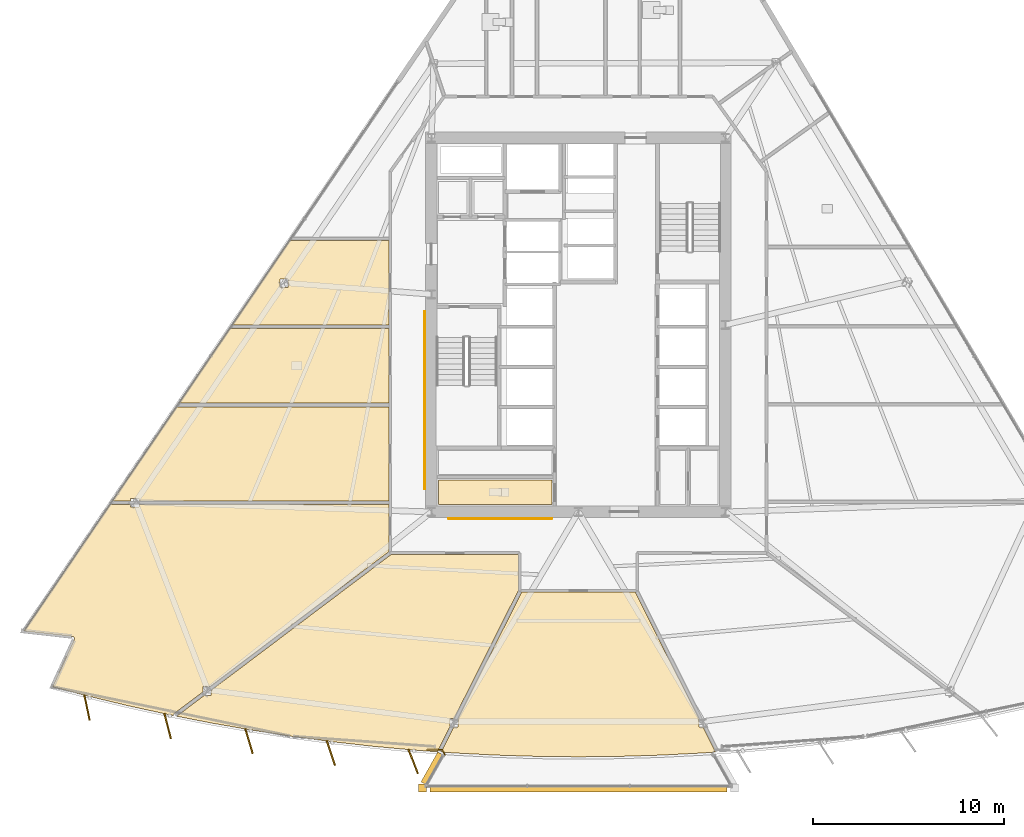
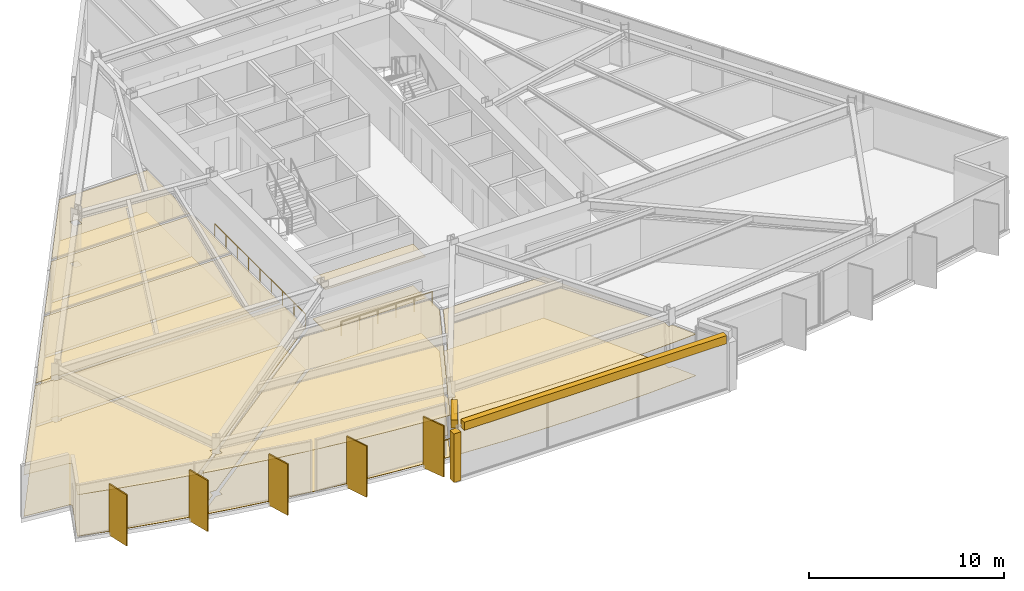
# One storey, part 12 of 16: 17 coverings, 5 shading devices, 3 railings.
"""IFC4 building model written with IfcOpenShell, lengths in metres."""

import ifcopenshell
import ifcopenshell.guid

model = None  # the IFC model being written
_history = None  # IfcOwnerHistory: only IFC2X3 demands one
_inside = {}  # id of a spatial element -> (the spatial element, [elements in it])
_under = {}  # id of a project, library or spatial element -> (it, [spatial elements below it])
_declared = {}  # id of a project -> (the project, [libraries it declares])
_typed = {}  # id of a type object -> (the type object, [elements of that type])
_made_of = {}  # id of a material, layer set ... -> (it, [elements and type objects made of it])


def new_model(schema):
    """Start an empty IFC model of exactly this schema.

    Asked for "IFC4X3", IfcOpenShell would pick the latest addendum, in which some entities
    have other attributes; the version numbers below select the first issue.
    IFC2X3 requires an IfcOwnerHistory on every rooted entity: one is made here for all.
    """
    global model, _history
    if schema == "IFC4X3":
        model = ifcopenshell.file(schema_version=(4, 3, 0, 0))
    else:
        model = ifcopenshell.file(schema=schema)
    _inside.clear()
    _under.clear()
    _declared.clear()
    _typed.clear()
    _made_of.clear()
    _history = None
    if model.schema == "IFC2X3":
        org = make("IfcOrganization", Name="unknown")
        user = make(
            "IfcPersonAndOrganization",
            ThePerson=make("IfcPerson", FamilyName="unknown"),
            TheOrganization=org,
        )
        app = make(
            "IfcApplication",
            ApplicationDeveloper=org,
            Version="unknown",
            ApplicationFullName="unknown",
            ApplicationIdentifier="unknown",
        )
        _history = make(
            "IfcOwnerHistory",
            OwningUser=user,
            OwningApplication=app,
            ChangeAction="ADDED",
            CreationDate=0,
        )
    return model


def make(cls, **values):
    """One entity of the class cls with the attributes given. An attribute that is None is left unset."""
    return model.create_entity(
        cls, **{name: value for name, value in values.items() if value is not None}
    )


def rooted(cls, **values):
    """An entity with a GlobalId (a new one), such as an element, a storey or a relation."""
    return make(cls, GlobalId=ifcopenshell.guid.new(), OwnerHistory=_history, **values)


def si_unit(unit_type, name, prefix=None):
    """IfcSIUnit, for example si_unit("LENGTHUNIT", "METRE", prefix="MILLI")."""
    return make("IfcSIUnit", UnitType=unit_type, Prefix=prefix, Name=name)


def assignment(units):
    """IfcUnitAssignment: the units of a project."""
    return None if units is None else make("IfcUnitAssignment", Units=units)


def point(xyz):
    """IfcCartesianPoint."""
    return None if xyz is None else make("IfcCartesianPoint", Coordinates=xyz)


def direction(xyz):
    """IfcDirection."""
    return None if xyz is None else make("IfcDirection", DirectionRatios=xyz)


def frame(location, z_axis=None, x_axis=None):
    """IfcAxis2Placement3D, a coordinate frame: its origin and axes. An axis left out is left unset."""
    return make(
        "IfcAxis2Placement3D",
        Location=point(location),
        Axis=direction(z_axis),
        RefDirection=direction(x_axis),
    )


def frame_2d(location, x_axis=None):
    """IfcAxis2Placement2D, a coordinate frame in the plane: its origin and x axis."""
    return make(
        "IfcAxis2Placement2D", Location=point(location), RefDirection=direction(x_axis)
    )


def origin():
    """The frame at (0, 0, 0) with its axes left unset."""
    return frame((0.0, 0.0, 0.0))


def origin_2d():
    """The frame at (0, 0) in the plane with its x axis left unset."""
    return frame_2d((0.0, 0.0))


def place(relative_to, where):
    """IfcLocalPlacement: puts the frame where relative to a parent placement (None: the world)."""
    return make(
        "IfcLocalPlacement", PlacementRelTo=relative_to, RelativePlacement=where
    )


def context(
    kind, dimensions, precision=None, world=None, true_north=None, identifier=None
):
    """IfcGeometricRepresentationContext, for example the 3D "Model" context."""
    return make(
        "IfcGeometricRepresentationContext",
        ContextIdentifier=identifier,
        ContextType=kind,
        CoordinateSpaceDimension=dimensions,
        Precision=precision,
        WorldCoordinateSystem=world,
        TrueNorth=true_north,
    )


def subcontext(parent, identifier, kind, view, scale=None):
    """IfcGeometricRepresentationSubContext, for example "Body" below "Model"."""
    return make(
        "IfcGeometricRepresentationSubContext",
        ContextIdentifier=identifier,
        ContextType=kind,
        ParentContext=parent,
        TargetScale=scale,
        TargetView=view,
    )


def project(units=None, contexts=None):
    """IfcProject with its units and contexts."""
    return rooted(
        "IfcProject",
        Name="project",
        RepresentationContexts=contexts,
        UnitsInContext=assignment(units),
    )


def spatial(cls, under=None, at=None, **own):
    """A site, building, storey or space (cls), placed at a placement, below another one or the project."""
    s = rooted(cls, ObjectPlacement=at, **own)
    if under is not None:
        _under.setdefault(under.id(), (under, []))[1].append(s)
    return s


def polyline(points):
    """IfcPolyline through the points."""
    return make("IfcPolyline", Points=[point(p) for p in points])


def profile(cls, at=None, kind="AREA", **sizes):
    """A parametric profile (cls). Its sizes go by their IFC names, for example OverallWidth=200.0."""
    return make(cls, ProfileType=kind, Position=at, **sizes)


def rectangle(**sizes):
    """IfcRectangleProfileDef."""
    return profile("IfcRectangleProfileDef", **sizes)


def circle(**sizes):
    """IfcCircleProfileDef."""
    return profile("IfcCircleProfileDef", **sizes)


def outline(outer, holes=None, kind="AREA"):
    """IfcArbitraryClosedProfileDef: a profile drawn as a closed curve; with holes, ...WithVoids."""
    if holes is None:
        return make("IfcArbitraryClosedProfileDef", ProfileType=kind, OuterCurve=outer)
    return make(
        "IfcArbitraryProfileDefWithVoids",
        ProfileType=kind,
        OuterCurve=outer,
        InnerCurves=holes,
    )


def extrude(swept, where, along, depth):
    """IfcExtrudedAreaSolid: the profile swept, set in the frame where, extruded along a direction by depth."""
    return make(
        "IfcExtrudedAreaSolid",
        SweptArea=swept,
        Position=where,
        ExtrudedDirection=direction(along),
        Depth=depth,
    )


def shape(context_of_items, identifier, shape_type, items):
    """IfcShapeRepresentation: the items that make up one representation, for example the "Body"."""
    return make(
        "IfcShapeRepresentation",
        ContextOfItems=context_of_items,
        RepresentationIdentifier=identifier,
        RepresentationType=shape_type,
        Items=items,
    )


def material(Name=None, Category=None):
    """IfcMaterial."""
    return make("IfcMaterial", Name=Name, Category=Category)


def layer(
    of_material, thickness, ventilated=None, Name=None, Category=None, Priority=None
):
    """IfcMaterialLayer: one layer of a wall or slab, of a material (None: an air gap)."""
    return make(
        "IfcMaterialLayer",
        Material=of_material,
        LayerThickness=thickness,
        IsVentilated=ventilated,
        Name=Name,
        Category=Category,
        Priority=Priority,
    )


def layer_set(layers, Name=None):
    """IfcMaterialLayerSet."""
    return make("IfcMaterialLayerSet", MaterialLayers=layers, LayerSetName=Name)


def made_of(thing, what):
    """Note that an element or type object is made of a material, layer set ...; save() writes the relation."""
    if what is not None:
        _made_of.setdefault(what.id(), (what, []))[1].append(thing)
    return thing


def type_object(cls, material=None, **own):
    """A type object (cls), such as IfcWallType, which elements share."""
    return made_of(rooted(cls, **own), material)


def element(
    cls,
    number,
    at=None,
    inside=None,
    cuts=None,
    type_object=None,
    material=None,
    context=None,
    identifier="Body",
    shape_type=None,
    held_by="IfcProductDefinitionShape",
    body=None,
    shapes=None,
    **own,
):
    """One element of the class cls, such as IfcWall. Its Tag is "e" and its number.

    at: its placement. inside: the storey or other place that contains it. cuts: it is an
    opening in that element (IfcRelVoidsElement). A single representation is given by context,
    identifier, shape_type and body (its items); several are given by shapes. held_by: the class
    of the entity that holds the representations. save() writes the other relations.
    """
    e = rooted(cls, Tag="e%d" % number, ObjectPlacement=at, **own)
    if body is not None:
        shapes = [shape(context, identifier, shape_type, body)]
    if shapes is not None:
        e.Representation = make(held_by, Representations=shapes)
    if inside is not None:
        _inside.setdefault(inside.id(), (inside, []))[1].append(e)
    if cuts is not None:
        rooted(
            "IfcRelVoidsElement", RelatingBuildingElement=cuts, RelatedOpeningElement=e
        )
    if type_object is not None:
        _typed.setdefault(type_object.id(), (type_object, []))[1].append(e)
    return made_of(e, material)


def aggregate(whole, parts):
    """IfcRelAggregates: a whole, such as a stair, and the parts it consists of."""
    return rooted("IfcRelAggregates", RelatingObject=whole, RelatedObjects=parts)


def save(model, path):
    """Write the relations noted so far, then the file.

    IfcRelAggregates (storeys below a building ...), IfcRelContainedInSpatialStructure (elements
    in a storey), IfcRelDefinesByType, IfcRelAssociatesMaterial and IfcRelDeclares: one each for
    every whole, place, type object, material and project.
    """
    for whole, parts in _under.values():
        aggregate(whole, parts)
    for where, things in _inside.values():
        rooted(
            "IfcRelContainedInSpatialStructure",
            RelatedElements=things,
            RelatingStructure=where,
        )
    for kind, things in _typed.values():
        rooted("IfcRelDefinesByType", RelatedObjects=things, RelatingType=kind)
    for what, things in _made_of.values():
        rooted("IfcRelAssociatesMaterial", RelatedObjects=things, RelatingMaterial=what)
    for by, libraries in _declared.values():
        rooted("IfcRelDeclares", RelatingContext=by, RelatedDefinitions=libraries)
    model.write(path)


model = new_model("IFC4")

# Units and contexts
model_context = context("Model", 3, precision=1e-05, world=origin(), true_north=direction((0.0, 1.0)))
body_context = subcontext(model_context, "Body", "Model", "MODEL_VIEW")
ifc_project = project(units=[si_unit("LENGTHUNIT", "METRE"), si_unit("AREAUNIT", "SQUARE_METRE"), si_unit("VOLUMEUNIT", "CUBIC_METRE"), si_unit("PLANEANGLEUNIT", "RADIAN"), si_unit("MASSUNIT", "GRAM", prefix="KILO")], contexts=[model_context])

# Site, building, storey
site_placement = place(None, origin())
site = spatial("IfcSite", under=ifc_project, at=site_placement, CompositionType="ELEMENT")
building_placement = place(site_placement, origin())
building = spatial("IfcBuilding", under=site, at=building_placement, Name="Savorim Split Tower", CompositionType="ELEMENT")
storey_placement = place(building_placement, frame((0.0, 0.0, 69.60009765625)))
storey = spatial("IfcBuildingStorey", under=building, at=storey_placement, Name="L18", CompositionType="ELEMENT", Elevation=69.60009765625)

# Coverings
ifc_material_1 = material(Name="Mineral Fibre Acoustic Ceiling")
ifc_layer_1 = layer(ifc_material_1, 0.02490234375)
ifc_layer_set_1 = layer_set([ifc_layer_1], Name="COV-CEIL-25")
covering_type_1 = type_object("IfcCoveringType", Name="COV-CEIL-25", PredefinedType="CEILING", material=ifc_layer_set_1)
covering_1_placement = place(storey_placement, frame((0.0, 0.0, 2.599853515625)))
element("IfcCovering", 1, at=covering_1_placement, inside=storey, type_object=covering_type_1, Name="L18 Public WC Acoustic Ceiling", PredefinedType="CEILING", context=body_context, shape_type="SweptSolid", body=[
    extrude(outline(polyline([(-7.320068359375, -7.719970703125), (-7.320068359375, -9.02001953125), (-1.3798828125, -9.02001953125), (-1.3798828125, -7.719970703125), (-7.320068359375, -7.719970703125)])), origin(), (0.0, 0.0, 1.0), 0.025146484375),
])
covering_2_placement = place(storey_placement, frame((0.0, 0.0, 2.599853515625)))
element("IfcCovering", 2, at=covering_2_placement, inside=storey, type_object=covering_type_1, Name="L18 Shared Kitchen Acoustic Ceiling", PredefinedType="CEILING", context=body_context, shape_type="SweptSolid", body=[
    extrude(outline(polyline([(-18.26708984375, 0.203369140625), (-20.92578125, -3.704833984375), (-9.919921875, -3.704833984375), (-9.919921875, 0.203369140625), (-18.26708984375, 0.203369140625)])), origin(), (0.0, 0.0, 1.0), 0.025146484375),
])
covering_3_placement = place(storey_placement, frame((0.0, 0.0, 2.599853515625)))
element("IfcCovering", 3, at=covering_3_placement, inside=storey, type_object=covering_type_1, Name="L18 Maker Workshop Acoustic Ceiling", PredefinedType="CEILING", context=body_context, shape_type="SweptSolid", body=[
    extrude(outline(polyline([(-23.033203125, -8.694580078125), (-23.033203125, -8.826904296875), (-9.919921875, -8.826904296875), (-9.919921875, -3.89501953125), (-21.054931640625, -3.89501953125), (-24.41015625, -8.826904296875), (-23.46533203125, -8.826904296875), (-23.46533203125, -8.694580078125), (-23.033203125, -8.694580078125)])), origin(), (0.0, 0.0, 1.0), 0.025146484375),
])
covering_4_placement = place(storey_placement, frame((0.0, 0.0, 2.599853515625)))
element("IfcCovering", 4, at=covering_4_placement, inside=storey, type_object=covering_type_1, Name="L18 Co-Working Commons Acoustic Ceiling", PredefinedType="CEILING", context=body_context, shape_type="SweptSolid", body=[
    extrude(outline(polyline([(-26.404052734375, -16.033447265625), (-26.40380859375, -16.04541015625), (-26.40478515625, -16.057373046875), (-26.406982421875, -16.069091796875), (-26.410400390625, -16.08056640625), (-26.414794921875, -16.091552734375), (-27.549560546875, -18.561767578125), (-25.601806640625, -19.071044921875), (-23.50634765625, -19.573486328125), (-21.40087890625, -20.032958984375), (-21.213134765625, -20.070068359375), (-21.25146484375, -20.018798828125), (-19.672607421875, -18.828369140625), (-19.672607421875, -18.556884765625), (-19.312744140625, -18.556884765625), (-9.9453125, -11.49267578125), (-9.919921875, -11.4736328125), (-9.919921875, -9.01708984375), (-23.033203125, -9.01708984375), (-23.033203125, -9.1494140625), (-23.46533203125, -9.1494140625), (-23.46533203125, -9.01708984375), (-24.414306640625, -9.01708984375), (-24.50927734375, -9.01708984375), (-24.50927734375, -8.97265625), (-29.04443359375, -15.639404296875), (-26.510498046875, -15.922119140625), (-26.498779296875, -15.92431640625), (-26.4873046875, -15.92724609375), (-26.47607421875, -15.931396484375), (-26.46533203125, -15.936767578125), (-26.455078125, -15.943115234375), (-26.44580078125, -15.9501953125), (-26.43701171875, -15.95849609375), (-26.42919921875, -15.967529296875), (-26.42236328125, -15.977294921875), (-26.41650390625, -15.98779296875), (-26.41162109375, -15.99853515625), (-26.407958984375, -16.010009765625), (-26.405517578125, -16.021484375), (-26.404052734375, -16.033447265625)])), origin(), (0.0, 0.0, 1.0), 0.025146484375),
])
covering_5_placement = place(storey_placement, frame((0.0, 0.0, 2.599853515625)))
element("IfcCovering", 5, at=covering_5_placement, inside=storey, type_object=covering_type_1, Name="L18 Maker Workshop Acoustic Ceiling", PredefinedType="CEILING", context=body_context, shape_type="SweptSolid", body=[
    extrude(outline(polyline([(-15.0341796875, -21.15185546875), (-12.898193359375, -21.4375), (-10.756591796875, -21.6796875), (-8.610595703125, -21.877685546875), (-7.391357421875, -21.96533203125), (-6.73681640625, -20.663330078125), (-6.73681640625, -20.2177734375), (-6.5126953125, -20.2177734375), (-3.15087890625, -13.530517578125), (-3.132568359375, -13.494384765625), (-3.134033203125, -13.490478515625), (-3.13720703125, -13.477294921875), (-3.139404296875, -13.463623046875), (-3.139892578125, -13.449951171875), (-3.139892578125, -11.6201171875), (-9.780029296875, -11.6201171875), (-9.793701171875, -11.619384765625), (-9.796875, -11.618896484375), (-19.240478515625, -18.740478515625), (-19.240478515625, -19.011962890625), (-19.6005859375, -19.011962890625), (-21.047119140625, -20.102783203125), (-19.286376953125, -20.44921875), (-17.163818359375, -20.822265625), (-15.0341796875, -21.15185546875)])), origin(), (0.0, 0.0, 1.0), 0.025146484375),
])
covering_6_placement = place(storey_placement, frame((0.0, 0.0, 2.599853515625)))
element("IfcCovering", 6, at=covering_6_placement, inside=storey, type_object=covering_type_1, Name="L18 Maker Workshop Acoustic Ceiling", PredefinedType="CEILING", context=body_context, shape_type="SweptSolid", body=[
    extrude(outline(polyline([(0.0, -22.23046875), (2.15478515625, -22.208251953125), (4.30908203125, -22.14208984375), (6.461181640625, -22.031982421875), (7.186279296875, -21.97998046875), (6.52880859375, -20.672607421875), (6.304931640625, -20.672607421875), (6.304931640625, -20.227294921875), (2.98095703125, -13.615966796875), (2.968017578125, -13.590087890625), (-2.968017578125, -13.590087890625), (-6.304931640625, -20.227294921875), (-6.304931640625, -20.672607421875), (-6.52880859375, -20.672607421875), (-7.1796875, -21.967041015625), (-7.186279296875, -21.97998046875), (-6.461181640625, -22.031982421875), (-4.30908203125, -22.14208984375), (-2.15478515625, -22.208251953125), (0.0, -22.23046875)])), origin(), (0.0, 0.0, 1.0), 0.025146484375),
])
covering_7_placement = place(storey_placement, frame((0.0, 0.0, 2.599853515625)))
element("IfcCovering", 7, at=covering_7_placement, inside=storey, type_object=covering_type_1, Name="L18 Co-Working Commons Acoustic Ceiling", PredefinedType="CEILING", context=body_context, shape_type="SweptSolid", body=[
    extrude(outline(polyline([(-15.130859375, 4.813720703125), (-18.1376953125, 0.393310546875), (-9.919921875, 0.393310546875), (-9.919921875, 4.813720703125), (-15.130859375, 4.813720703125)]), holes=[polyline([(-15.638916015625, 2.810302734375), (-15.638916015625, 2.355224609375), (-15.20703125, 2.355224609375), (-15.20703125, 2.810302734375), (-15.638916015625, 2.810302734375)])]), origin(), (0.0, 0.0, 1.0), 0.025146484375),
])
ifc_material_2 = material(Name="Porcelain Stoneware Flooring", Category="masonry")
ifc_layer_2 = layer(ifc_material_2, 0.02001953125)
ifc_layer_set_2 = layer_set([ifc_layer_2], Name="COV-FLOR-20")
covering_type_2 = type_object("IfcCoveringType", Name="COV-FLOR-20", PredefinedType="FLOORING", material=ifc_layer_set_2)
covering_8_placement = place(storey_placement, origin())
element("IfcCovering", 8, at=covering_8_placement, inside=storey, type_object=covering_type_2, Name="L18 Public WC Porcelain Flooring", PredefinedType="FLOORING", context=body_context, shape_type="SweptSolid", body=[
    extrude(outline(polyline([(-7.320068359375, -7.719970703125), (-7.320068359375, -9.02001953125), (-1.3798828125, -9.02001953125), (-1.3798828125, -7.719970703125), (-7.320068359375, -7.719970703125)])), origin(), (0.0, 0.0, 1.0), 0.02001953125),
])
covering_9_placement = place(storey_placement, origin())
element("IfcCovering", 9, at=covering_9_placement, inside=storey, type_object=covering_type_2, Name="L18 Shared Kitchen Porcelain Flooring", PredefinedType="FLOORING", context=body_context, shape_type="SweptSolid", body=[
    extrude(outline(polyline([(-18.26708984375, 0.203369140625), (-20.92578125, -3.704833984375), (-9.919921875, -3.704833984375), (-9.919921875, 0.203369140625), (-18.26708984375, 0.203369140625)])), origin(), (0.0, 0.0, 1.0), 0.02001953125),
])
covering_10_placement = place(storey_placement, origin())
element("IfcCovering", 10, at=covering_10_placement, inside=storey, type_object=covering_type_2, Name="L18 Maker Workshop Porcelain Flooring", PredefinedType="FLOORING", context=body_context, shape_type="SweptSolid", body=[
    extrude(outline(polyline([(-23.033203125, -8.694580078125), (-23.033203125, -8.826904296875), (-9.919921875, -8.826904296875), (-9.919921875, -3.89501953125), (-21.054931640625, -3.89501953125), (-24.41015625, -8.826904296875), (-23.46533203125, -8.826904296875), (-23.46533203125, -8.694580078125), (-23.033203125, -8.694580078125)])), origin(), (0.0, 0.0, 1.0), 0.02001953125),
])
covering_11_placement = place(storey_placement, origin())
element("IfcCovering", 11, at=covering_11_placement, inside=storey, type_object=covering_type_2, Name="L18 Co-Working Commons Porcelain Flooring", PredefinedType="FLOORING", context=body_context, shape_type="SweptSolid", body=[
    extrude(outline(polyline([(-26.404052734375, -16.033447265625), (-26.40380859375, -16.04541015625), (-26.40478515625, -16.057373046875), (-26.406982421875, -16.069091796875), (-26.410400390625, -16.08056640625), (-26.414794921875, -16.091552734375), (-27.549560546875, -18.561767578125), (-25.601806640625, -19.071044921875), (-23.50634765625, -19.573486328125), (-21.40087890625, -20.032958984375), (-21.213134765625, -20.070068359375), (-21.25146484375, -20.018798828125), (-19.672607421875, -18.828369140625), (-19.672607421875, -18.556884765625), (-19.312744140625, -18.556884765625), (-9.9453125, -11.49267578125), (-9.919921875, -11.4736328125), (-9.919921875, -9.01708984375), (-23.033203125, -9.01708984375), (-23.033203125, -9.1494140625), (-23.46533203125, -9.1494140625), (-23.46533203125, -9.01708984375), (-24.414306640625, -9.01708984375), (-24.50927734375, -9.01708984375), (-24.50927734375, -8.97265625), (-29.04443359375, -15.639404296875), (-26.510498046875, -15.922119140625), (-26.498779296875, -15.92431640625), (-26.4873046875, -15.92724609375), (-26.47607421875, -15.931396484375), (-26.46533203125, -15.936767578125), (-26.455078125, -15.943115234375), (-26.44580078125, -15.9501953125), (-26.43701171875, -15.95849609375), (-26.42919921875, -15.967529296875), (-26.42236328125, -15.977294921875), (-26.41650390625, -15.98779296875), (-26.41162109375, -15.99853515625), (-26.407958984375, -16.010009765625), (-26.405517578125, -16.021484375), (-26.404052734375, -16.033447265625)])), origin(), (0.0, 0.0, 1.0), 0.02001953125),
])
covering_12_placement = place(storey_placement, origin())
element("IfcCovering", 12, at=covering_12_placement, inside=storey, type_object=covering_type_2, Name="L18 Maker Workshop Porcelain Flooring", PredefinedType="FLOORING", context=body_context, shape_type="SweptSolid", body=[
    extrude(outline(polyline([(-15.0341796875, -21.15185546875), (-12.898193359375, -21.4375), (-10.756591796875, -21.6796875), (-8.610595703125, -21.877685546875), (-7.391357421875, -21.96533203125), (-6.73681640625, -20.663330078125), (-6.73681640625, -20.2177734375), (-6.5126953125, -20.2177734375), (-3.15087890625, -13.530517578125), (-3.132568359375, -13.494384765625), (-3.134033203125, -13.490478515625), (-3.13720703125, -13.477294921875), (-3.139404296875, -13.463623046875), (-3.139892578125, -13.449951171875), (-3.139892578125, -11.6201171875), (-9.780029296875, -11.6201171875), (-9.793701171875, -11.619384765625), (-9.796875, -11.618896484375), (-19.240478515625, -18.740478515625), (-19.240478515625, -19.011962890625), (-19.6005859375, -19.011962890625), (-21.047119140625, -20.102783203125), (-19.286376953125, -20.44921875), (-17.163818359375, -20.822265625), (-15.0341796875, -21.15185546875)])), origin(), (0.0, 0.0, 1.0), 0.02001953125),
])
covering_13_placement = place(storey_placement, origin())
element("IfcCovering", 13, at=covering_13_placement, inside=storey, type_object=covering_type_2, Name="L18 Maker Workshop Porcelain Flooring", PredefinedType="FLOORING", context=body_context, shape_type="SweptSolid", body=[
    extrude(outline(polyline([(0.0, -22.23046875), (2.15478515625, -22.208251953125), (4.30908203125, -22.14208984375), (6.461181640625, -22.031982421875), (7.186279296875, -21.97998046875), (6.52880859375, -20.672607421875), (6.304931640625, -20.672607421875), (6.304931640625, -20.227294921875), (2.98095703125, -13.615966796875), (2.968017578125, -13.590087890625), (-2.968017578125, -13.590087890625), (-6.304931640625, -20.227294921875), (-6.304931640625, -20.672607421875), (-6.52880859375, -20.672607421875), (-7.1796875, -21.967041015625), (-7.186279296875, -21.97998046875), (-6.461181640625, -22.031982421875), (-4.30908203125, -22.14208984375), (-2.15478515625, -22.208251953125), (0.0, -22.23046875)])), origin(), (0.0, 0.0, 1.0), 0.02001953125),
])
covering_14_placement = place(storey_placement, origin())
element("IfcCovering", 14, at=covering_14_placement, inside=storey, type_object=covering_type_2, Name="L18 Co-Working Commons Porcelain Flooring", PredefinedType="FLOORING", context=body_context, shape_type="SweptSolid", body=[
    extrude(outline(polyline([(-15.130859375, 4.813720703125), (-18.1376953125, 0.393310546875), (-9.919921875, 0.393310546875), (-9.919921875, 4.813720703125), (-15.130859375, 4.813720703125)]), holes=[polyline([(-15.638916015625, 2.810302734375), (-15.638916015625, 2.355224609375), (-15.20703125, 2.355224609375), (-15.20703125, 2.810302734375), (-15.638916015625, 2.810302734375)])]), origin(), (0.0, 0.0, 1.0), 0.02001953125),
])
ifc_material_3 = material(Name="White Porcelain Architectural Cladding")
ifc_layer_3 = layer(ifc_material_3, 0.139892578125)
ifc_layer_set_3 = layer_set([ifc_layer_3], Name="COV-FRM-WHITE")
covering_type_3 = type_object("IfcCoveringType", Name="COV-FRM-WHITE", PredefinedType="CLADDING", material=ifc_layer_set_3)
covering_15_placement = place(storey_placement, frame((0.0, 0.0, 3.079833984375)))
element("IfcCovering", 15, at=covering_15_placement, inside=storey, type_object=covering_type_3, Name="L18 Cantilevered Lounge White Upper Cornice Band W", PredefinedType="CLADDING", context=body_context, shape_type="SweptSolid", body=[
    extrude(outline(polyline([(-7.364990234375, -21.9755859375), (-8.2509765625, -23.54248046875), (-7.955078125, -23.7099609375), (-7.06884765625, -22.14306640625), (-7.364990234375, -21.9755859375)])), origin(), (0.0, 0.0, 1.0), 0.510009765625),
])
covering_16_placement = place(storey_placement, frame((0.0, 0.0, 3.079833984375)))
element("IfcCovering", 16, at=covering_16_placement, inside=storey, type_object=covering_type_3, Name="L18 Cantilevered Lounge White Upper Cornice Band F", PredefinedType="CLADDING", context=body_context, shape_type="SweptSolid", body=[
    extrude(outline(polyline([(-7.777587890625, -24.079833984375), (7.777587890625, -24.079833984375), (7.777587890625, -23.73974609375), (-7.777587890625, -23.73974609375), (-7.777587890625, -24.079833984375)])), origin(), (0.0, 0.0, 1.0), 0.510009765625),
])
covering_17_placement = place(storey_placement, frame((0.0, 0.0, 0.010009765625)))
element("IfcCovering", 17, at=covering_17_placement, inside=storey, type_object=covering_type_3, Name="L18 Cantilevered Lounge White Frame Corner Post 1", PredefinedType="CLADDING", context=body_context, shape_type="SweptSolid", body=[
    extrude(outline(polyline([(-8.3876953125, -24.06982421875), (-7.967529296875, -24.06982421875), (-7.967529296875, -23.64990234375), (-8.3876953125, -23.64990234375), (-8.3876953125, -24.06982421875)])), origin(), (0.0, 0.0, 1.0), 3.0498046875),
])

# Railings
ifc_material_4 = material(Name="Galvanised Painted Steel Balustrade", Category="steel")
railing_type_1 = type_object("IfcRailingType", Name="RLG-BAL-1100", PredefinedType="BALUSTRADE", material=ifc_material_4)
railing_1_placement = place(storey_placement, frame((-7.9140625, -21.864501953125, 0.0)))
element("IfcRailing", 18, at=railing_1_placement, inside=storey, type_object=railing_type_1, Name="L18 Cantilevered Lounge West Edge Closure Guard", PredefinedType="BALUSTRADE", context=body_context, shape_type="SweptSolid", body=[
    extrude(circle(Radius=0.02392578125, at=origin_2d()), frame((0.0, 0.0, 1.076171875), z_axis=(1.0, 0.0, 0.0), x_axis=(0.0, 1.0, 0.0)), (0.0, 0.0, 1.0), 0.780029296875),
    extrude(circle(Radius=0.02392578125, at=origin_2d()), frame((0.780029296875, 0.0, 1.076171875), z_axis=(0.481582589665, -0.876400712763, 0.0), x_axis=(0.876400712763, 0.481582589665, 0.0)), (0.0, 0.0, 1.0), 0.306640625),
    extrude(circle(Radius=0.02099609375, at=origin_2d()), origin(), (0.0, 0.0, 1.0), 1.052001953125),
    extrude(circle(Radius=0.02099609375, at=origin_2d()), frame((0.780029296875, 0.0, 0.0)), (0.0, 0.0, 1.0), 1.052001953125),
    extrude(circle(Radius=0.02099609375, at=origin_2d()), frame((0.927734375, -0.268798828125, 0.0)), (0.0, 0.0, 1.0), 1.052001953125),
])
railing_type_2 = type_object("IfcRailingType", Name="RLG-HR-900", PredefinedType="HANDRAIL", material=ifc_material_4)
railing_2_placement = place(storey_placement, frame((-6.800048828125, -9.75, 0.0)))
element("IfcRailing", 19, at=railing_2_placement, inside=storey, type_object=railing_type_2, Name="L18 Corridor South Accessible Handrail", PredefinedType="HANDRAIL", context=body_context, shape_type="SweptSolid", body=[
    extrude(circle(Radius=0.02392578125, at=origin_2d()), frame((0.0, 0.0, 0.8759765625), z_axis=(1.0, 0.0, 0.0), x_axis=(0.0, 1.0, 0.0)), (0.0, 0.0, 1.0), 5.400146484375),
    extrude(circle(Radius=0.02099609375, at=origin_2d()), origin(), (0.0, 0.0, 1.0), 0.851806640625),
    extrude(circle(Radius=0.02099609375, at=origin_2d()), frame((1.080078125, 0.0, 0.0)), (0.0, 0.0, 1.0), 0.851806640625),
    extrude(circle(Radius=0.02099609375, at=origin_2d()), frame((2.16015625, 0.0, 0.0)), (0.0, 0.0, 1.0), 0.851806640625),
    extrude(circle(Radius=0.02099609375, at=origin_2d()), frame((3.239990234375, 0.0, 0.0)), (0.0, 0.0, 1.0), 0.851806640625),
    extrude(circle(Radius=0.02099609375, at=origin_2d()), frame((4.320068359375, 0.0, 0.0)), (0.0, 0.0, 1.0), 0.851806640625),
    extrude(circle(Radius=0.02099609375, at=origin_2d()), frame((5.400146484375, 0.0, 0.0)), (0.0, 0.0, 1.0), 0.851806640625),
])
railing_3_placement = place(storey_placement, frame((-8.050048828125, -8.199951171875, 0.0)))
element("IfcRailing", 20, at=railing_3_placement, inside=storey, type_object=railing_type_2, Name="L18 Corridor West Accessible Handrail", PredefinedType="HANDRAIL", context=body_context, shape_type="SweptSolid", body=[
    extrude(circle(Radius=0.02392578125, at=origin_2d()), frame((0.0, 0.0, 0.8759765625), z_axis=(0.0, 1.0, 0.0), x_axis=(-1.0, 0.0, 0.0)), (0.0, 0.0, 1.0), 9.300048828125),
    extrude(circle(Radius=0.02099609375, at=origin_2d()), origin(), (0.0, 0.0, 1.0), 0.851806640625),
    extrude(circle(Radius=0.02099609375, at=origin_2d()), frame((0.0, 1.16259765625, 0.0)), (0.0, 0.0, 1.0), 0.851806640625),
    extrude(circle(Radius=0.02099609375, at=origin_2d()), frame((0.0, 2.324951171875, 0.0)), (0.0, 0.0, 1.0), 0.851806640625),
    extrude(circle(Radius=0.02099609375, at=origin_2d()), frame((0.0, 3.487548828125, 0.0)), (0.0, 0.0, 1.0), 0.851806640625),
    extrude(circle(Radius=0.02099609375, at=origin_2d()), frame((0.0, 4.64990234375, 0.0)), (0.0, 0.0, 1.0), 0.851806640625),
    extrude(circle(Radius=0.02099609375, at=origin_2d()), frame((0.0, 5.8125, 0.0)), (0.0, 0.0, 1.0), 0.851806640625),
    extrude(circle(Radius=0.02099609375, at=origin_2d()), frame((0.0, 6.97509765625, 0.0)), (0.0, 0.0, 1.0), 0.851806640625),
    extrude(circle(Radius=0.02099609375, at=origin_2d()), frame((0.0, 8.137451171875, 0.0)), (0.0, 0.0, 1.0), 0.851806640625),
    extrude(circle(Radius=0.02099609375, at=origin_2d()), frame((0.0, 9.300048828125, 0.0)), (0.0, 0.0, 1.0), 0.851806640625),
])

# Shading devices
ifc_material_5 = material(Name="Terracotta Ceramic-Coated Aluminium Fin", Category="masonry")
shading_device_type = type_object("IfcShadingDeviceType", Name="SHD-FIN-1360", PredefinedType="USERDEFINED", material=ifc_material_5)
for number, where, z_axis, x_axis, name in (
    (21, (-25.746826171875, -19.649169921875, -0.2001953125), (0.0, 0.0, 1.0), (0.206721626106, -0.978399800337, 0.0), "L18 Sawtooth Shading Fin 01"),
    (22, (-21.52197265625, -20.61669921875, -0.2001953125), (0.0, 0.0, 1.0), (0.246581250663, -0.969122121727, 0.0), "L18 Sawtooth Shading Fin 02"),
    (23, (-17.260986328125, -21.410400390625, -0.2001953125), (0.0, 0.0, 1.0), (0.286026212504, -0.958221793616, 0.0), "L18 Sawtooth Shading Fin 03"),
    (24, (-12.97119140625, -22.029052734375, -0.2001953125), (0.0, 0.0, 1.0), (0.324993810493, -0.945716143005, 0.0), "L18 Sawtooth Shading Fin 04"),
    (25, (-8.659423828125, -22.4716796875, -0.2001953125), (0.0, 0.0, 1.0), (0.363415461732, -0.931627179817, 0.0), "L18 Sawtooth Shading Fin 05"),
):
    element("IfcShadingDevice", number, at=place(storey_placement, frame(where, z_axis=z_axis, x_axis=x_axis)), inside=storey, type_object=shading_device_type, Name=name, ObjectType="FIN", PredefinedType="USERDEFINED", context=body_context, shape_type="SweptSolid", body=[
        extrude(rectangle(XDim=1.360107421875, YDim=0.080078125, at=origin_2d()), origin(), (0.0, 0.0, 1.0), 3.199951171875),
    ])

save(model, "model.ifc")
